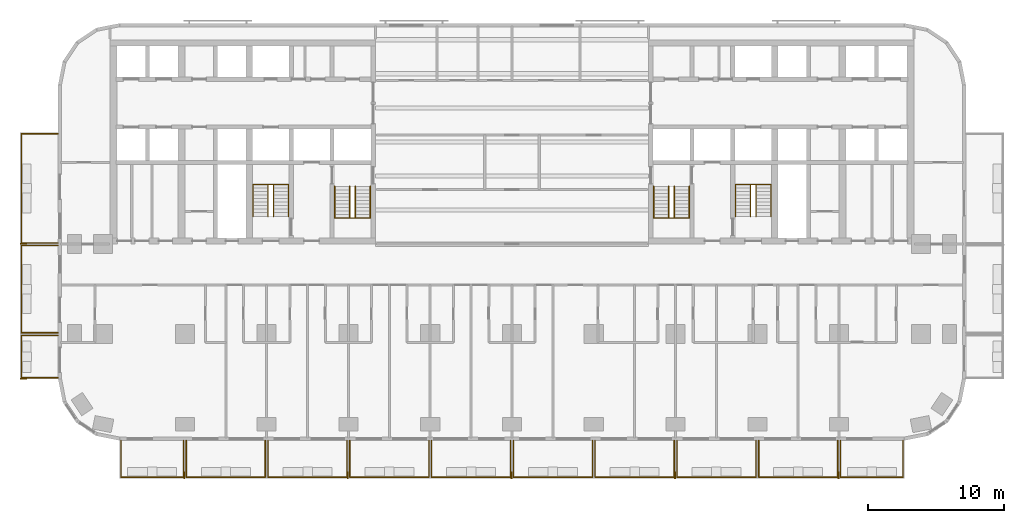
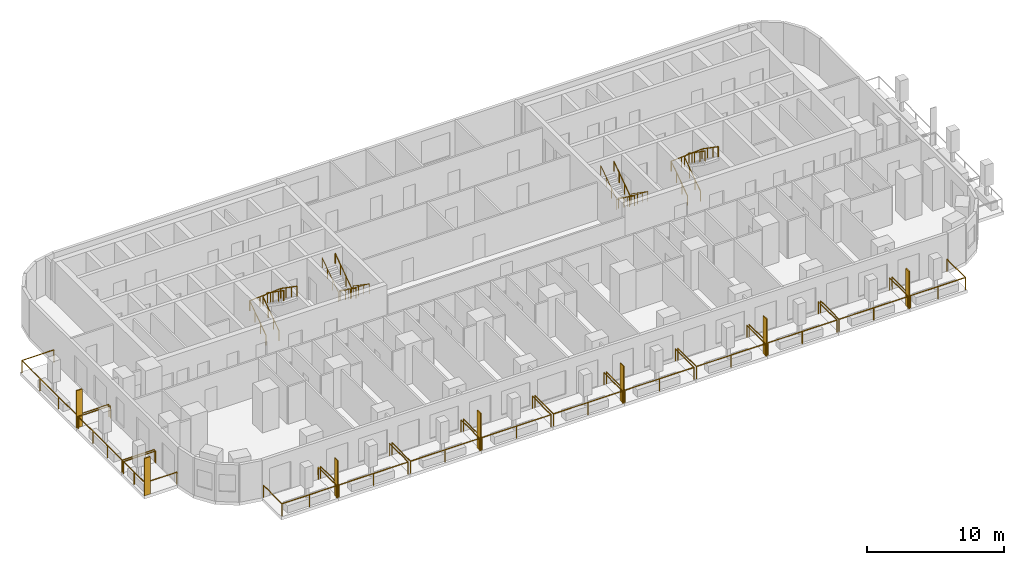
# One storey, part 13 of 15: 21 railings, 7 shading devices.
"""IFC4 building model written with IfcOpenShell, lengths in metres."""

from ifc_helpers import new_model, si_unit, direction, frame, origin, origin_2d, place, context, subcontext, project, spatial, rectangle, circle, extrude, material, layer, layer_set, type_object, element, save


model = new_model("IFC4")

# Units and contexts
model_context = context("Model", 3, precision=1e-05, world=origin(), true_north=direction((0.0, 1.0)))
body_context = subcontext(model_context, "Body", "Model", "MODEL_VIEW")
ifc_project = project(units=[si_unit("LENGTHUNIT", "METRE"), si_unit("AREAUNIT", "SQUARE_METRE"), si_unit("VOLUMEUNIT", "CUBIC_METRE"), si_unit("PLANEANGLEUNIT", "RADIAN"), si_unit("MASSUNIT", "GRAM", prefix="KILO")], contexts=[model_context])

# Site, building, storey
site_placement = place(None, origin())
site = spatial("IfcSite", under=ifc_project, at=site_placement, CompositionType="ELEMENT")
building_placement = place(site_placement, origin())
building = spatial("IfcBuilding", under=site, at=building_placement, Name="Torana Hotel and Residences", CompositionType="ELEMENT")
storey_placement = place(building_placement, frame((0.0, 0.0, 42.0)))
storey = spatial("IfcBuildingStorey", under=building, at=storey_placement, Name="L09", CompositionType="ELEMENT", Elevation=42.0)

# Shading devices
ifc_material_1 = material(Name="Black powder coated aluminium", Category="aluminium")
ifc_layer = layer(ifc_material_1, 0.080078125)
ifc_layer_set = layer_set([ifc_layer], Name="FN1 VERTICAL FIN 500x80")
shading_device_type = type_object("IfcShadingDeviceType", Name="FN1 VERTICAL FIN 500x80", PredefinedType="USERDEFINED", material=ifc_layer_set)
for number, where, z_axis, x_axis, name in (
    (1, (-24.0400390625, -31.949951171875, 0.0), (0.0, 0.0, 1.0), (-1.0, 0.0, 0.0), "Fin 01"),
    (2, (-12.0400390625, -31.949951171875, 0.0), (0.0, 0.0, 1.0), (-1.0, 0.0, 0.0), "Fin 03"),
    (3, (-0.0400390625, -31.949951171875, 0.0), (0.0, 0.0, 1.0), (-1.0, 0.0, 0.0), "Fin 05"),
    (4, (11.9599609375, -31.949951171875, 0.0), (0.0, 0.0, 1.0), (-1.0, 0.0, 0.0), "Fin 07"),
    (5, (23.9599609375, -31.949951171875, 0.0), (0.0, 0.0, 1.0), (-1.0, 0.0, 0.0), "Fin 09"),
    (6, (-35.85009765625, -24.860107421875, 0.0), (0.0, 0.0, 1.0), (0.0, 1.0, 0.0), "Fin 11"),
    (7, (-35.85009765625, -14.9599609375, 0.0), (0.0, 0.0, 1.0), (0.0, 1.0, 0.0), "Fin 13"),
):
    element("IfcShadingDevice", number, at=place(storey_placement, frame(where, z_axis=z_axis, x_axis=x_axis)), inside=storey, type_object=shading_device_type, Name=name, ObjectType="FIN", PredefinedType="USERDEFINED", context=body_context, shape_type="SweptSolid", body=[
        extrude(rectangle(XDim=0.080078125, YDim=0.5, at=origin_2d()), origin(), (0.0, 0.0, 1.0), 3.320068359375),
    ])

# Railings
ifc_material_2 = material(Name="Laminated glass balustrade with black handrail", Category="glass")
railing_type_1 = type_object("IfcRailingType", Name="GR1 BALCONY GUARD 1100 GLASS", PredefinedType="GUARDRAIL", material=ifc_material_2)
railing_1_placement = place(storey_placement, frame((-24.10009765625, -29.39990234375, 0.0)))
element("IfcRailing", 8, at=railing_1_placement, inside=storey, type_object=railing_type_1, Name="Balcony guard 01", PredefinedType="GUARDRAIL", context=body_context, shape_type="SweptSolid", body=[
    extrude(circle(Radius=0.02392578125, at=origin_2d()), frame((0.0, 0.0, 1.076171875), z_axis=(0.0, -1.0, 0.0), x_axis=(1.0, 0.0, 0.0)), (0.0, 0.0, 1.0), 2.7001953125),
    extrude(circle(Radius=0.02392578125, at=origin_2d()), frame((0.0, -2.7001953125, 1.076171875), z_axis=(-1.0, 0.0, 0.0), x_axis=(0.0, -1.0, 0.0)), (0.0, 0.0, 1.0), 4.599853515625),
    extrude(circle(Radius=0.02392578125, at=origin_2d()), frame((-4.599853515625, -2.7001953125, 1.076171875), z_axis=(0.0, 1.0, 0.0), x_axis=(-1.0, 0.0, 0.0)), (0.0, 0.0, 1.0), 2.7001953125),
    extrude(circle(Radius=0.02099609375, at=origin_2d()), origin(), (0.0, 0.0, 1.0), 1.052001953125),
    extrude(circle(Radius=0.02099609375, at=origin_2d()), frame((0.0, -2.7001953125, 0.0)), (0.0, 0.0, 1.0), 1.052001953125),
    extrude(circle(Radius=0.02099609375, at=origin_2d()), frame((-2.2998046875, -2.7001953125, 0.0)), (0.0, 0.0, 1.0), 1.052001953125),
    extrude(circle(Radius=0.02099609375, at=origin_2d()), frame((-4.599853515625, -2.7001953125, 0.0)), (0.0, 0.0, 1.0), 1.052001953125),
    extrude(circle(Radius=0.02099609375, at=origin_2d()), frame((-4.599853515625, 0.0, 0.0)), (0.0, 0.0, 1.0), 1.052001953125),
])
for number, where, name in (
    (9, (-18.10009765625, -29.39990234375, 0.0), "Balcony guard 02"),
    (10, (-12.10009765625, -29.39990234375, 0.0), "Balcony guard 03"),
    (11, (-6.10009765625, -29.39990234375, 0.0), "Balcony guard 04"),
    (12, (-0.10009765625, -29.39990234375, 0.0), "Balcony guard 05"),
    (13, (5.89990234375, -29.39990234375, 0.0), "Balcony guard 06"),
    (14, (11.89990234375, -29.39990234375, 0.0), "Balcony guard 07"),
    (15, (17.89990234375, -29.39990234375, 0.0), "Balcony guard 08"),
    (16, (23.89990234375, -29.39990234375, 0.0), "Balcony guard 09"),
):
    element("IfcRailing", number, at=place(storey_placement, frame(where)), inside=storey, type_object=railing_type_1, Name=name, PredefinedType="GUARDRAIL", context=body_context, shape_type="SweptSolid", body=[
        extrude(circle(Radius=0.02392578125, at=origin_2d()), frame((0.0, 0.0, 1.076171875), z_axis=(0.0, -1.0, 0.0), x_axis=(1.0, 0.0, 0.0)), (0.0, 0.0, 1.0), 2.7001953125),
        extrude(circle(Radius=0.02392578125, at=origin_2d()), frame((0.0, -2.7001953125, 1.076171875), z_axis=(-1.0, 0.0, 0.0), x_axis=(0.0, -1.0, 0.0)), (0.0, 0.0, 1.0), 5.7998046875),
        extrude(circle(Radius=0.02392578125, at=origin_2d()), frame((-5.7998046875, -2.7001953125, 1.076171875), z_axis=(0.0, 1.0, 0.0), x_axis=(-1.0, 0.0, 0.0)), (0.0, 0.0, 1.0), 2.7001953125),
        extrude(circle(Radius=0.02099609375, at=origin_2d()), origin(), (0.0, 0.0, 1.0), 1.052001953125),
        extrude(circle(Radius=0.02099609375, at=origin_2d()), frame((0.0, -2.7001953125, 0.0)), (0.0, 0.0, 1.0), 1.052001953125),
        extrude(circle(Radius=0.02099609375, at=origin_2d()), frame((-2.89990234375, -2.7001953125, 0.0)), (0.0, 0.0, 1.0), 1.052001953125),
        extrude(circle(Radius=0.02099609375, at=origin_2d()), frame((-5.7998046875, -2.7001953125, 0.0)), (0.0, 0.0, 1.0), 1.052001953125),
        extrude(circle(Radius=0.02099609375, at=origin_2d()), frame((-5.7998046875, 0.0, 0.0)), (0.0, 0.0, 1.0), 1.052001953125),
    ])
railing_2_placement = place(storey_placement, frame((28.699951171875, -29.39990234375, 0.0)))
element("IfcRailing", 17, at=railing_2_placement, inside=storey, type_object=railing_type_1, Name="Balcony guard 10", PredefinedType="GUARDRAIL", context=body_context, shape_type="SweptSolid", body=[
    extrude(circle(Radius=0.02392578125, at=origin_2d()), frame((0.0, 0.0, 1.076171875), z_axis=(0.0, -1.0, 0.0), x_axis=(1.0, 0.0, 0.0)), (0.0, 0.0, 1.0), 2.7001953125),
    extrude(circle(Radius=0.02392578125, at=origin_2d()), frame((0.0, -2.7001953125, 1.076171875), z_axis=(-1.0, 0.0, 0.0), x_axis=(0.0, -1.0, 0.0)), (0.0, 0.0, 1.0), 4.599853515625),
    extrude(circle(Radius=0.02392578125, at=origin_2d()), frame((-4.599853515625, -2.7001953125, 1.076171875), z_axis=(0.0, 1.0, 0.0), x_axis=(-1.0, 0.0, 0.0)), (0.0, 0.0, 1.0), 2.7001953125),
    extrude(circle(Radius=0.02099609375, at=origin_2d()), origin(), (0.0, 0.0, 1.0), 1.052001953125),
    extrude(circle(Radius=0.02099609375, at=origin_2d()), frame((0.0, -2.7001953125, 0.0)), (0.0, 0.0, 1.0), 1.052001953125),
    extrude(circle(Radius=0.02099609375, at=origin_2d()), frame((-2.2998046875, -2.7001953125, 0.0)), (0.0, 0.0, 1.0), 1.052001953125),
    extrude(circle(Radius=0.02099609375, at=origin_2d()), frame((-4.599853515625, -2.7001953125, 0.0)), (0.0, 0.0, 1.0), 1.052001953125),
    extrude(circle(Radius=0.02099609375, at=origin_2d()), frame((-4.599853515625, 0.0, 0.0)), (0.0, 0.0, 1.0), 1.052001953125),
])
railing_3_placement = place(storey_placement, frame((-33.300048828125, -24.800048828125, 0.0)))
element("IfcRailing", 18, at=railing_3_placement, inside=storey, type_object=railing_type_1, Name="Balcony guard 11", PredefinedType="GUARDRAIL", context=body_context, shape_type="SweptSolid", body=[
    extrude(circle(Radius=0.02392578125, at=origin_2d()), frame((0.0, 0.0, 1.076171875), z_axis=(-1.0, 0.0, 0.0), x_axis=(0.0, -1.0, 0.0)), (0.0, 0.0, 1.0), 2.699951171875),
    extrude(circle(Radius=0.02392578125, at=origin_2d()), frame((-2.699951171875, 0.0, 1.076171875), z_axis=(0.0, 1.0, 0.0), x_axis=(-1.0, 0.0, 0.0)), (0.0, 0.0, 1.0), 3.10009765625),
    extrude(circle(Radius=0.02392578125, at=origin_2d()), frame((-2.699951171875, 3.10009765625, 1.076171875), z_axis=(1.0, 0.0, 0.0), x_axis=(0.0, 1.0, 0.0)), (0.0, 0.0, 1.0), 2.699951171875),
    extrude(circle(Radius=0.02099609375, at=origin_2d()), origin(), (0.0, 0.0, 1.0), 1.052001953125),
    extrude(circle(Radius=0.02099609375, at=origin_2d()), frame((-2.699951171875, 0.0, 0.0)), (0.0, 0.0, 1.0), 1.052001953125),
    extrude(circle(Radius=0.02099609375, at=origin_2d()), frame((-2.699951171875, 1.550048828125, 0.0)), (0.0, 0.0, 1.0), 1.052001953125),
    extrude(circle(Radius=0.02099609375, at=origin_2d()), frame((-2.699951171875, 3.10009765625, 0.0)), (0.0, 0.0, 1.0), 1.052001953125),
    extrude(circle(Radius=0.02099609375, at=origin_2d()), frame((0.0, 3.10009765625, 0.0)), (0.0, 0.0, 1.0), 1.052001953125),
])
railing_4_placement = place(storey_placement, frame((-33.300048828125, -21.5, 0.0)))
element("IfcRailing", 19, at=railing_4_placement, inside=storey, type_object=railing_type_1, Name="Balcony guard 12", PredefinedType="GUARDRAIL", context=body_context, shape_type="SweptSolid", body=[
    extrude(circle(Radius=0.02392578125, at=origin_2d()), frame((0.0, 0.0, 1.076171875), z_axis=(-1.0, 0.0, 0.0), x_axis=(0.0, -1.0, 0.0)), (0.0, 0.0, 1.0), 2.699951171875),
    extrude(circle(Radius=0.02392578125, at=origin_2d()), frame((-2.699951171875, 0.0, 1.076171875), z_axis=(0.0, 1.0, 0.0), x_axis=(-1.0, 0.0, 0.0)), (0.0, 0.0, 1.0), 6.39990234375),
    extrude(circle(Radius=0.02392578125, at=origin_2d()), frame((-2.699951171875, 6.39990234375, 1.076171875), z_axis=(1.0, 0.0, 0.0), x_axis=(0.0, 1.0, 0.0)), (0.0, 0.0, 1.0), 2.699951171875),
    extrude(circle(Radius=0.02099609375, at=origin_2d()), origin(), (0.0, 0.0, 1.0), 1.052001953125),
    extrude(circle(Radius=0.02099609375, at=origin_2d()), frame((-2.699951171875, 0.0, 0.0)), (0.0, 0.0, 1.0), 1.052001953125),
    extrude(circle(Radius=0.02099609375, at=origin_2d()), frame((-2.699951171875, 2.13330078125, 0.0)), (0.0, 0.0, 1.0), 1.052001953125),
    extrude(circle(Radius=0.02099609375, at=origin_2d()), frame((-2.699951171875, 4.2666015625, 0.0)), (0.0, 0.0, 1.0), 1.052001953125),
    extrude(circle(Radius=0.02099609375, at=origin_2d()), frame((-2.699951171875, 6.39990234375, 0.0)), (0.0, 0.0, 1.0), 1.052001953125),
    extrude(circle(Radius=0.02099609375, at=origin_2d()), frame((0.0, 6.39990234375, 0.0)), (0.0, 0.0, 1.0), 1.052001953125),
])
railing_5_placement = place(storey_placement, frame((-33.300048828125, -14.89990234375, 0.0)))
element("IfcRailing", 20, at=railing_5_placement, inside=storey, type_object=railing_type_1, Name="Balcony guard 13", PredefinedType="GUARDRAIL", context=body_context, shape_type="SweptSolid", body=[
    extrude(circle(Radius=0.02392578125, at=origin_2d()), frame((0.0, 0.0, 1.076171875), z_axis=(-1.0, 0.0, 0.0), x_axis=(0.0, -1.0, 0.0)), (0.0, 0.0, 1.0), 2.699951171875),
    extrude(circle(Radius=0.02392578125, at=origin_2d()), frame((-2.699951171875, 0.0, 1.076171875), z_axis=(0.0, 1.0, 0.0), x_axis=(-1.0, 0.0, 0.0)), (0.0, 0.0, 1.0), 8.0),
    extrude(circle(Radius=0.02392578125, at=origin_2d()), frame((-2.699951171875, 8.0, 1.076171875), z_axis=(1.0, 0.0, 0.0), x_axis=(0.0, 1.0, 0.0)), (0.0, 0.0, 1.0), 2.699951171875),
    extrude(circle(Radius=0.02099609375, at=origin_2d()), origin(), (0.0, 0.0, 1.0), 1.052001953125),
    extrude(circle(Radius=0.02099609375, at=origin_2d()), frame((-2.699951171875, 0.0, 0.0)), (0.0, 0.0, 1.0), 1.052001953125),
    extrude(circle(Radius=0.02099609375, at=origin_2d()), frame((-2.699951171875, 2.666748046875, 0.0)), (0.0, 0.0, 1.0), 1.052001953125),
    extrude(circle(Radius=0.02099609375, at=origin_2d()), frame((-2.699951171875, 5.333251953125, 0.0)), (0.0, 0.0, 1.0), 1.052001953125),
    extrude(circle(Radius=0.02099609375, at=origin_2d()), frame((-2.699951171875, 8.0, 0.0)), (0.0, 0.0, 1.0), 1.052001953125),
    extrude(circle(Radius=0.02099609375, at=origin_2d()), frame((0.0, 8.0, 0.0)), (0.0, 0.0, 1.0), 1.052001953125),
])
ifc_material_3 = material(Name="Stainless steel 316", Category="steel")
railing_type_2 = type_object("IfcRailingType", Name="STAIR HANDRAIL HR1 900", PredefinedType="HANDRAIL", material=ifc_material_3)
railing_6_placement = place(storey_placement, frame((-10.39990234375, -10.75, 0.179931640625)))
element("IfcRailing", 21, at=railing_6_placement, inside=storey, type_object=railing_type_2, Name="Handrail ST1 L09 O1", PredefinedType="HANDRAIL", context=body_context, shape_type="SweptSolid", body=[
    extrude(circle(Radius=0.02392578125, at=origin_2d()), frame((0.0, 0.0, 0.8759765625), z_axis=(0.0, -0.822182927502, 0.569223360136), x_axis=(1.0, 0.0, 0.0)), (0.0, 0.0, 1.0), 2.84619140625),
    extrude(circle(Radius=0.02392578125, at=origin_2d()), frame((0.0, -2.340087890625, 2.49609375), z_axis=(-0.997614115953, 0.0, 0.069036770278), x_axis=(0.0, -1.0, 0.0)), (0.0, 0.0, 1.0), 2.606201171875),
    extrude(circle(Radius=0.02392578125, at=origin_2d()), frame((-2.60009765625, -2.340087890625, 2.67578125), z_axis=(0.0, 0.822182927502, 0.569223360136), x_axis=(-1.0, 0.0, 0.0)), (0.0, 0.0, 1.0), 2.84619140625),
    extrude(circle(Radius=0.02099609375, at=origin_2d()), origin(), (0.0, 0.0, 1.0), 0.851806640625),
    extrude(circle(Radius=0.02099609375, at=origin_2d()), frame((0.0, -0.780029296875, 0.5400390625)), (0.0, 0.0, 1.0), 0.851806640625),
    extrude(circle(Radius=0.02099609375, at=origin_2d()), frame((0.0, -1.56005859375, 1.080078125)), (0.0, 0.0, 1.0), 0.851806640625),
    extrude(circle(Radius=0.02099609375, at=origin_2d()), frame((0.0, -2.340087890625, 1.6201171875)), (0.0, 0.0, 1.0), 0.851806640625),
    extrude(circle(Radius=0.02099609375, at=origin_2d()), frame((-0.86669921875, -2.340087890625, 1.68017578125)), (0.0, 0.0, 1.0), 0.851806640625),
    extrude(circle(Radius=0.02099609375, at=origin_2d()), frame((-1.7333984375, -2.340087890625, 1.739990234375)), (0.0, 0.0, 1.0), 0.851806640625),
    extrude(circle(Radius=0.02099609375, at=origin_2d()), frame((-2.60009765625, -2.340087890625, 1.800048828125)), (0.0, 0.0, 1.0), 0.851806640625),
    extrude(circle(Radius=0.02099609375, at=origin_2d()), frame((-2.60009765625, -1.56005859375, 2.340087890625)), (0.0, 0.0, 1.0), 0.851806640625),
    extrude(circle(Radius=0.02099609375, at=origin_2d()), frame((-2.60009765625, -0.780029296875, 2.880126953125)), (0.0, 0.0, 1.0), 0.851806640625),
    extrude(circle(Radius=0.02099609375, at=origin_2d()), frame((-2.60009765625, 0.0, 3.420166015625)), (0.0, 0.0, 1.0), 0.851806640625),
])
railing_7_placement = place(storey_placement, frame((-11.5, -10.75, 0.179931640625)))
element("IfcRailing", 22, at=railing_7_placement, inside=storey, type_object=railing_type_2, Name="Handrail ST1 L09 I1", PredefinedType="HANDRAIL", context=body_context, shape_type="SweptSolid", body=[
    extrude(circle(Radius=0.02392578125, at=origin_2d()), frame((0.0, 0.0, 0.8759765625), z_axis=(0.0, -0.822182927502, 0.569223360136), x_axis=(1.0, 0.0, 0.0)), (0.0, 0.0, 1.0), 2.84619140625),
    extrude(circle(Radius=0.02392578125, at=origin_2d()), frame((0.0, -2.340087890625, 2.49609375), z_axis=(-0.911942338396, 0.0, 0.410318378143), x_axis=(0.0, -1.0, 0.0)), (0.0, 0.0, 1.0), 0.4384765625),
    extrude(circle(Radius=0.02392578125, at=origin_2d()), frame((-0.39990234375, -2.340087890625, 2.67578125), z_axis=(0.0, 0.822182927502, 0.569223360136), x_axis=(-1.0, 0.0, 0.0)), (0.0, 0.0, 1.0), 2.84619140625),
    extrude(circle(Radius=0.02099609375, at=origin_2d()), origin(), (0.0, 0.0, 1.0), 0.851806640625),
    extrude(circle(Radius=0.02099609375, at=origin_2d()), frame((0.0, -0.780029296875, 0.5400390625)), (0.0, 0.0, 1.0), 0.851806640625),
    extrude(circle(Radius=0.02099609375, at=origin_2d()), frame((0.0, -1.56005859375, 1.080078125)), (0.0, 0.0, 1.0), 0.851806640625),
    extrude(circle(Radius=0.02099609375, at=origin_2d()), frame((0.0, -2.340087890625, 1.6201171875)), (0.0, 0.0, 1.0), 0.851806640625),
    extrude(circle(Radius=0.02099609375, at=origin_2d()), frame((-0.39990234375, -2.340087890625, 1.800048828125)), (0.0, 0.0, 1.0), 0.851806640625),
    extrude(circle(Radius=0.02099609375, at=origin_2d()), frame((-0.39990234375, -1.56005859375, 2.340087890625)), (0.0, 0.0, 1.0), 0.851806640625),
    extrude(circle(Radius=0.02099609375, at=origin_2d()), frame((-0.39990234375, -0.780029296875, 2.880126953125)), (0.0, 0.0, 1.0), 0.851806640625),
    extrude(circle(Radius=0.02099609375, at=origin_2d()), frame((-0.39990234375, 0.0, 3.420166015625)), (0.0, 0.0, 1.0), 0.851806640625),
])
railing_8_placement = place(storey_placement, frame((-19.0, -12.949951171875, 0.179931640625)))
element("IfcRailing", 23, at=railing_8_placement, inside=storey, type_object=railing_type_2, Name="Handrail ST2 L09 O1", PredefinedType="HANDRAIL", context=body_context, shape_type="SweptSolid", body=[
    extrude(circle(Radius=0.02392578125, at=origin_2d()), frame((0.0, 0.0, 0.8759765625), z_axis=(0.0, 0.822155131156, 0.569263506923), x_axis=(-1.0, 0.0, 0.0)), (0.0, 0.0, 1.0), 2.845947265625),
    extrude(circle(Radius=0.02392578125, at=origin_2d()), frame((0.0, 2.33984375, 2.49609375), z_axis=(0.997614115953, 0.0, 0.069036770278), x_axis=(0.0, 1.0, 0.0)), (0.0, 0.0, 1.0), 2.606201171875),
    extrude(circle(Radius=0.02392578125, at=origin_2d()), frame((2.60009765625, 2.33984375, 2.67578125), z_axis=(0.0, -0.822155131156, 0.569263506923), x_axis=(1.0, 0.0, 0.0)), (0.0, 0.0, 1.0), 2.845947265625),
    extrude(circle(Radius=0.02099609375, at=origin_2d()), origin(), (0.0, 0.0, 1.0), 0.851806640625),
    extrude(circle(Radius=0.02099609375, at=origin_2d()), frame((0.0, 0.780029296875, 0.5400390625)), (0.0, 0.0, 1.0), 0.851806640625),
    extrude(circle(Radius=0.02099609375, at=origin_2d()), frame((0.0, 1.559814453125, 1.080078125)), (0.0, 0.0, 1.0), 0.851806640625),
    extrude(circle(Radius=0.02099609375, at=origin_2d()), frame((0.0, 2.33984375, 1.6201171875)), (0.0, 0.0, 1.0), 0.851806640625),
    extrude(circle(Radius=0.02099609375, at=origin_2d()), frame((0.86669921875, 2.33984375, 1.68017578125)), (0.0, 0.0, 1.0), 0.851806640625),
    extrude(circle(Radius=0.02099609375, at=origin_2d()), frame((1.7333984375, 2.33984375, 1.739990234375)), (0.0, 0.0, 1.0), 0.851806640625),
    extrude(circle(Radius=0.02099609375, at=origin_2d()), frame((2.60009765625, 2.33984375, 1.800048828125)), (0.0, 0.0, 1.0), 0.851806640625),
    extrude(circle(Radius=0.02099609375, at=origin_2d()), frame((2.60009765625, 1.559814453125, 2.340087890625)), (0.0, 0.0, 1.0), 0.851806640625),
    extrude(circle(Radius=0.02099609375, at=origin_2d()), frame((2.60009765625, 0.780029296875, 2.880126953125)), (0.0, 0.0, 1.0), 0.851806640625),
    extrude(circle(Radius=0.02099609375, at=origin_2d()), frame((2.60009765625, 0.0, 3.420166015625)), (0.0, 0.0, 1.0), 0.851806640625),
])
railing_9_placement = place(storey_placement, frame((-17.89990234375, -12.949951171875, 0.179931640625)))
element("IfcRailing", 24, at=railing_9_placement, inside=storey, type_object=railing_type_2, Name="Handrail ST2 L09 I1", PredefinedType="HANDRAIL", context=body_context, shape_type="SweptSolid", body=[
    extrude(circle(Radius=0.02392578125, at=origin_2d()), frame((0.0, 0.0, 0.8759765625), z_axis=(0.0, 0.822155131156, 0.569263506923), x_axis=(-1.0, 0.0, 0.0)), (0.0, 0.0, 1.0), 2.845947265625),
    extrude(circle(Radius=0.02392578125, at=origin_2d()), frame((0.0, 2.33984375, 2.49609375), z_axis=(0.911942338396, 0.0, 0.410318378143), x_axis=(0.0, 1.0, 0.0)), (0.0, 0.0, 1.0), 0.4384765625),
    extrude(circle(Radius=0.02392578125, at=origin_2d()), frame((0.39990234375, 2.33984375, 2.67578125), z_axis=(0.0, -0.822155131156, 0.569263506923), x_axis=(1.0, 0.0, 0.0)), (0.0, 0.0, 1.0), 2.845947265625),
    extrude(circle(Radius=0.02099609375, at=origin_2d()), origin(), (0.0, 0.0, 1.0), 0.851806640625),
    extrude(circle(Radius=0.02099609375, at=origin_2d()), frame((0.0, 0.780029296875, 0.5400390625)), (0.0, 0.0, 1.0), 0.851806640625),
    extrude(circle(Radius=0.02099609375, at=origin_2d()), frame((0.0, 1.559814453125, 1.080078125)), (0.0, 0.0, 1.0), 0.851806640625),
    extrude(circle(Radius=0.02099609375, at=origin_2d()), frame((0.0, 2.33984375, 1.6201171875)), (0.0, 0.0, 1.0), 0.851806640625),
    extrude(circle(Radius=0.02099609375, at=origin_2d()), frame((0.39990234375, 2.33984375, 1.800048828125)), (0.0, 0.0, 1.0), 0.851806640625),
    extrude(circle(Radius=0.02099609375, at=origin_2d()), frame((0.39990234375, 1.559814453125, 2.340087890625)), (0.0, 0.0, 1.0), 0.851806640625),
    extrude(circle(Radius=0.02099609375, at=origin_2d()), frame((0.39990234375, 0.780029296875, 2.880126953125)), (0.0, 0.0, 1.0), 0.851806640625),
    extrude(circle(Radius=0.02099609375, at=origin_2d()), frame((0.39990234375, 0.0, 3.420166015625)), (0.0, 0.0, 1.0), 0.851806640625),
])
railing_10_placement = place(storey_placement, frame((13.0, -10.75, 0.179931640625)))
element("IfcRailing", 25, at=railing_10_placement, inside=storey, type_object=railing_type_2, Name="Handrail ST3 L09 O1", PredefinedType="HANDRAIL", context=body_context, shape_type="SweptSolid", body=[
    extrude(circle(Radius=0.02392578125, at=origin_2d()), frame((0.0, 0.0, 0.8759765625), z_axis=(0.0, -0.822182927502, 0.569223360136), x_axis=(1.0, 0.0, 0.0)), (0.0, 0.0, 1.0), 2.84619140625),
    extrude(circle(Radius=0.02392578125, at=origin_2d()), frame((0.0, -2.340087890625, 2.49609375), z_axis=(-0.997614115953, 0.0, 0.069036770278), x_axis=(0.0, -1.0, 0.0)), (0.0, 0.0, 1.0), 2.606201171875),
    extrude(circle(Radius=0.02392578125, at=origin_2d()), frame((-2.60009765625, -2.340087890625, 2.67578125), z_axis=(0.0, 0.822182927502, 0.569223360136), x_axis=(-1.0, 0.0, 0.0)), (0.0, 0.0, 1.0), 2.84619140625),
    extrude(circle(Radius=0.02099609375, at=origin_2d()), origin(), (0.0, 0.0, 1.0), 0.851806640625),
    extrude(circle(Radius=0.02099609375, at=origin_2d()), frame((0.0, -0.780029296875, 0.5400390625)), (0.0, 0.0, 1.0), 0.851806640625),
    extrude(circle(Radius=0.02099609375, at=origin_2d()), frame((0.0, -1.56005859375, 1.080078125)), (0.0, 0.0, 1.0), 0.851806640625),
    extrude(circle(Radius=0.02099609375, at=origin_2d()), frame((0.0, -2.340087890625, 1.6201171875)), (0.0, 0.0, 1.0), 0.851806640625),
    extrude(circle(Radius=0.02099609375, at=origin_2d()), frame((-0.86669921875, -2.340087890625, 1.68017578125)), (0.0, 0.0, 1.0), 0.851806640625),
    extrude(circle(Radius=0.02099609375, at=origin_2d()), frame((-1.7333984375, -2.340087890625, 1.739990234375)), (0.0, 0.0, 1.0), 0.851806640625),
    extrude(circle(Radius=0.02099609375, at=origin_2d()), frame((-2.60009765625, -2.340087890625, 1.800048828125)), (0.0, 0.0, 1.0), 0.851806640625),
    extrude(circle(Radius=0.02099609375, at=origin_2d()), frame((-2.60009765625, -1.56005859375, 2.340087890625)), (0.0, 0.0, 1.0), 0.851806640625),
    extrude(circle(Radius=0.02099609375, at=origin_2d()), frame((-2.60009765625, -0.780029296875, 2.880126953125)), (0.0, 0.0, 1.0), 0.851806640625),
    extrude(circle(Radius=0.02099609375, at=origin_2d()), frame((-2.60009765625, 0.0, 3.420166015625)), (0.0, 0.0, 1.0), 0.851806640625),
])
railing_11_placement = place(storey_placement, frame((11.89990234375, -10.75, 0.179931640625)))
element("IfcRailing", 26, at=railing_11_placement, inside=storey, type_object=railing_type_2, Name="Handrail ST3 L09 I1", PredefinedType="HANDRAIL", context=body_context, shape_type="SweptSolid", body=[
    extrude(circle(Radius=0.02392578125, at=origin_2d()), frame((0.0, 0.0, 0.8759765625), z_axis=(0.0, -0.822182927502, 0.569223360136), x_axis=(1.0, 0.0, 0.0)), (0.0, 0.0, 1.0), 2.84619140625),
    extrude(circle(Radius=0.02392578125, at=origin_2d()), frame((0.0, -2.340087890625, 2.49609375), z_axis=(-0.911942338396, 0.0, 0.410318378143), x_axis=(0.0, -1.0, 0.0)), (0.0, 0.0, 1.0), 0.4384765625),
    extrude(circle(Radius=0.02392578125, at=origin_2d()), frame((-0.39990234375, -2.340087890625, 2.67578125), z_axis=(0.0, 0.822182927502, 0.569223360136), x_axis=(-1.0, 0.0, 0.0)), (0.0, 0.0, 1.0), 2.84619140625),
    extrude(circle(Radius=0.02099609375, at=origin_2d()), origin(), (0.0, 0.0, 1.0), 0.851806640625),
    extrude(circle(Radius=0.02099609375, at=origin_2d()), frame((0.0, -0.780029296875, 0.5400390625)), (0.0, 0.0, 1.0), 0.851806640625),
    extrude(circle(Radius=0.02099609375, at=origin_2d()), frame((0.0, -1.56005859375, 1.080078125)), (0.0, 0.0, 1.0), 0.851806640625),
    extrude(circle(Radius=0.02099609375, at=origin_2d()), frame((0.0, -2.340087890625, 1.6201171875)), (0.0, 0.0, 1.0), 0.851806640625),
    extrude(circle(Radius=0.02099609375, at=origin_2d()), frame((-0.39990234375, -2.340087890625, 1.800048828125)), (0.0, 0.0, 1.0), 0.851806640625),
    extrude(circle(Radius=0.02099609375, at=origin_2d()), frame((-0.39990234375, -1.56005859375, 2.340087890625)), (0.0, 0.0, 1.0), 0.851806640625),
    extrude(circle(Radius=0.02099609375, at=origin_2d()), frame((-0.39990234375, -0.780029296875, 2.880126953125)), (0.0, 0.0, 1.0), 0.851806640625),
    extrude(circle(Radius=0.02099609375, at=origin_2d()), frame((-0.39990234375, 0.0, 3.420166015625)), (0.0, 0.0, 1.0), 0.851806640625),
])
railing_12_placement = place(storey_placement, frame((16.39990234375, -12.949951171875, 0.179931640625)))
element("IfcRailing", 27, at=railing_12_placement, inside=storey, type_object=railing_type_2, Name="Handrail ST4 L09 O1", PredefinedType="HANDRAIL", context=body_context, shape_type="SweptSolid", body=[
    extrude(circle(Radius=0.02392578125, at=origin_2d()), frame((0.0, 0.0, 0.8759765625), z_axis=(0.0, 0.822155131156, 0.569263506923), x_axis=(-1.0, 0.0, 0.0)), (0.0, 0.0, 1.0), 2.845947265625),
    extrude(circle(Radius=0.02392578125, at=origin_2d()), frame((0.0, 2.33984375, 2.49609375), z_axis=(0.997614115953, 0.0, 0.069036770278), x_axis=(0.0, 1.0, 0.0)), (0.0, 0.0, 1.0), 2.606201171875),
    extrude(circle(Radius=0.02392578125, at=origin_2d()), frame((2.60009765625, 2.33984375, 2.67578125), z_axis=(0.0, -0.822155131156, 0.569263506923), x_axis=(1.0, 0.0, 0.0)), (0.0, 0.0, 1.0), 2.845947265625),
    extrude(circle(Radius=0.02099609375, at=origin_2d()), origin(), (0.0, 0.0, 1.0), 0.851806640625),
    extrude(circle(Radius=0.02099609375, at=origin_2d()), frame((0.0, 0.780029296875, 0.5400390625)), (0.0, 0.0, 1.0), 0.851806640625),
    extrude(circle(Radius=0.02099609375, at=origin_2d()), frame((0.0, 1.559814453125, 1.080078125)), (0.0, 0.0, 1.0), 0.851806640625),
    extrude(circle(Radius=0.02099609375, at=origin_2d()), frame((0.0, 2.33984375, 1.6201171875)), (0.0, 0.0, 1.0), 0.851806640625),
    extrude(circle(Radius=0.02099609375, at=origin_2d()), frame((0.86669921875, 2.33984375, 1.68017578125)), (0.0, 0.0, 1.0), 0.851806640625),
    extrude(circle(Radius=0.02099609375, at=origin_2d()), frame((1.7333984375, 2.33984375, 1.739990234375)), (0.0, 0.0, 1.0), 0.851806640625),
    extrude(circle(Radius=0.02099609375, at=origin_2d()), frame((2.60009765625, 2.33984375, 1.800048828125)), (0.0, 0.0, 1.0), 0.851806640625),
    extrude(circle(Radius=0.02099609375, at=origin_2d()), frame((2.60009765625, 1.559814453125, 2.340087890625)), (0.0, 0.0, 1.0), 0.851806640625),
    extrude(circle(Radius=0.02099609375, at=origin_2d()), frame((2.60009765625, 0.780029296875, 2.880126953125)), (0.0, 0.0, 1.0), 0.851806640625),
    extrude(circle(Radius=0.02099609375, at=origin_2d()), frame((2.60009765625, 0.0, 3.420166015625)), (0.0, 0.0, 1.0), 0.851806640625),
])
railing_13_placement = place(storey_placement, frame((17.5, -12.949951171875, 0.179931640625)))
element("IfcRailing", 28, at=railing_13_placement, inside=storey, type_object=railing_type_2, Name="Handrail ST4 L09 I1", PredefinedType="HANDRAIL", context=body_context, shape_type="SweptSolid", body=[
    extrude(circle(Radius=0.02392578125, at=origin_2d()), frame((0.0, 0.0, 0.8759765625), z_axis=(0.0, 0.822155131156, 0.569263506923), x_axis=(-1.0, 0.0, 0.0)), (0.0, 0.0, 1.0), 2.845947265625),
    extrude(circle(Radius=0.02392578125, at=origin_2d()), frame((0.0, 2.33984375, 2.49609375), z_axis=(0.911942338396, 0.0, 0.410318378143), x_axis=(0.0, 1.0, 0.0)), (0.0, 0.0, 1.0), 0.4384765625),
    extrude(circle(Radius=0.02392578125, at=origin_2d()), frame((0.39990234375, 2.33984375, 2.67578125), z_axis=(0.0, -0.822155131156, 0.569263506923), x_axis=(1.0, 0.0, 0.0)), (0.0, 0.0, 1.0), 2.845947265625),
    extrude(circle(Radius=0.02099609375, at=origin_2d()), origin(), (0.0, 0.0, 1.0), 0.851806640625),
    extrude(circle(Radius=0.02099609375, at=origin_2d()), frame((0.0, 0.780029296875, 0.5400390625)), (0.0, 0.0, 1.0), 0.851806640625),
    extrude(circle(Radius=0.02099609375, at=origin_2d()), frame((0.0, 1.559814453125, 1.080078125)), (0.0, 0.0, 1.0), 0.851806640625),
    extrude(circle(Radius=0.02099609375, at=origin_2d()), frame((0.0, 2.33984375, 1.6201171875)), (0.0, 0.0, 1.0), 0.851806640625),
    extrude(circle(Radius=0.02099609375, at=origin_2d()), frame((0.39990234375, 2.33984375, 1.800048828125)), (0.0, 0.0, 1.0), 0.851806640625),
    extrude(circle(Radius=0.02099609375, at=origin_2d()), frame((0.39990234375, 1.559814453125, 2.340087890625)), (0.0, 0.0, 1.0), 0.851806640625),
    extrude(circle(Radius=0.02099609375, at=origin_2d()), frame((0.39990234375, 0.780029296875, 2.880126953125)), (0.0, 0.0, 1.0), 0.851806640625),
    extrude(circle(Radius=0.02099609375, at=origin_2d()), frame((0.39990234375, 0.0, 3.420166015625)), (0.0, 0.0, 1.0), 0.851806640625),
])

save(model, "model.ifc")
